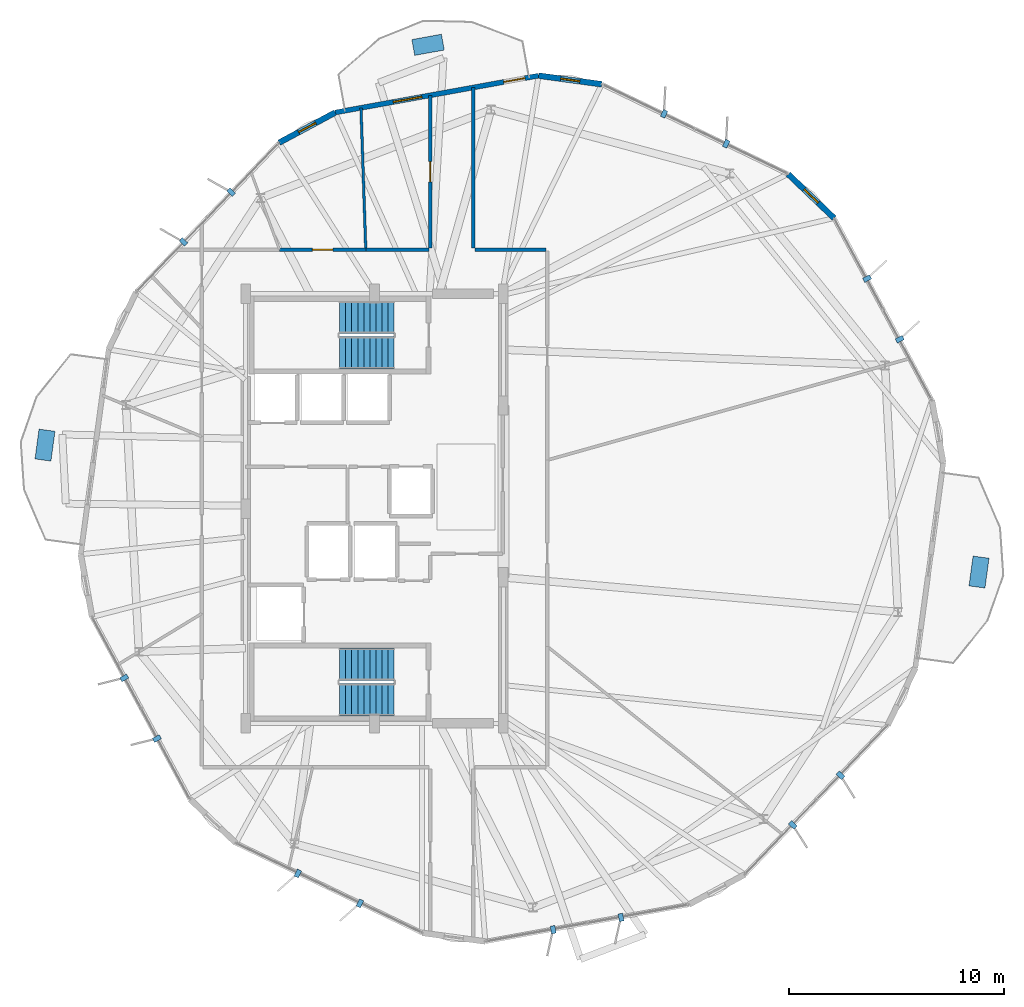
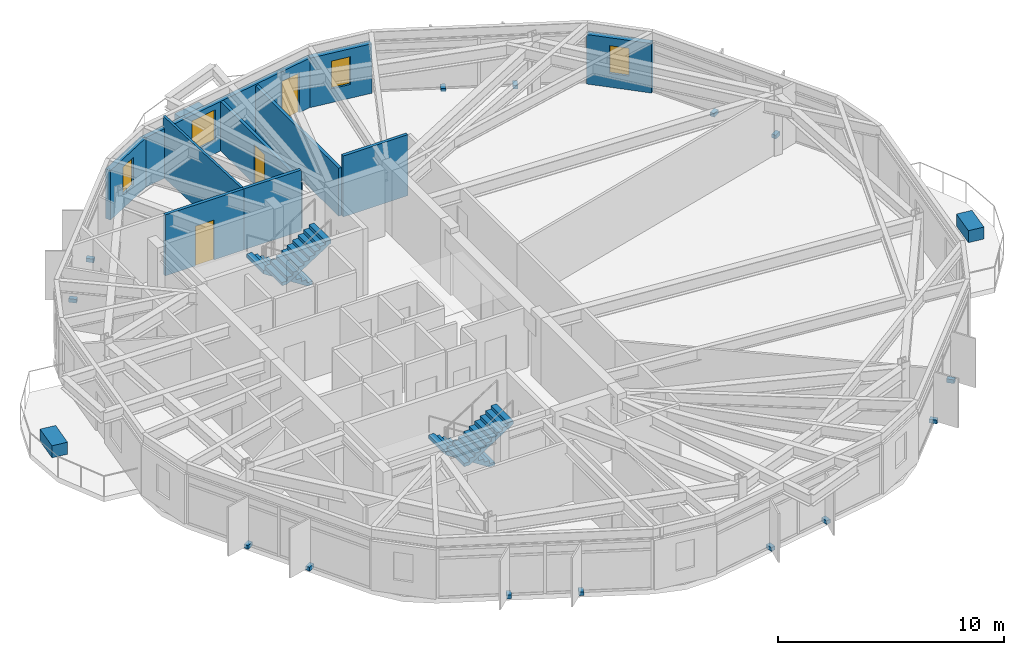
# One storey, part 24 of 27: 17 discrete accessories, 10 walls, 4 stair flights, 4 windows, 3 doors, 7 openings, 2 elements without a shape of their own.
"""IFC4 building model written with IfcOpenShell, lengths in metres."""

from ifc_helpers import new_model, si_unit, direction, frame, frame_2d, origin, origin_2d, place, context, subcontext, project, spatial, polyline, rectangle, outline, extrude, material, layer, layer_set, type_object, element, fill, aggregate, save


model = new_model("IFC4")

# Units and contexts
model_context = context("Model", 3, precision=1e-05, world=origin(), true_north=direction((0.0, 1.0)))
body_context = subcontext(model_context, "Body", "Model", "MODEL_VIEW")
ifc_project = project(units=[si_unit("LENGTHUNIT", "METRE"), si_unit("AREAUNIT", "SQUARE_METRE"), si_unit("VOLUMEUNIT", "CUBIC_METRE"), si_unit("PLANEANGLEUNIT", "RADIAN"), si_unit("MASSUNIT", "GRAM", prefix="KILO")], contexts=[model_context])

# Site, building, storey
site_placement = place(None, origin())
site = spatial("IfcSite", under=ifc_project, at=site_placement, CompositionType="ELEMENT")
building_placement = place(site_placement, origin())
building = spatial("IfcBuilding", under=site, at=building_placement, Name="Soratama Intermodal Tower", CompositionType="ELEMENT")
storey_placement = place(building_placement, frame((0.0, 0.0, 208.60009765625)))
storey = spatial("IfcBuildingStorey", under=building, at=storey_placement, Name="L52", CompositionType="ELEMENT", Elevation=208.60009765625)

# Wall, openings, door, window
ifc_material_1 = material(Name="Concrete f'c 42 MPa", Category="concrete")
ifc_layer_1 = layer(ifc_material_1, 0.22998046875)
ifc_layer_set_1 = layer_set([ifc_layer_1], Name="Concrete f'c 42 MPa")
wall_type_1 = type_object("IfcWallType", Name="EW-BAL-230", PredefinedType="SOLIDWALL", material=ifc_layer_set_1)
wall_1_placement = place(storey_placement, frame((46.2421875, 45.153564453125, 0.0), z_axis=(0.0, 0.0, 1.0), x_axis=(-0.984006003463, -0.178135300119, 0.0)))
wall_1 = element("IfcWall", 1, at=wall_1_placement, inside=storey, type_object=wall_type_1, Name="L52 Terrace Wall F02", PredefinedType="SOLIDWALL", context=body_context, shape_type="SweptSolid", body=[
    extrude(rectangle(XDim=9.623779296875, YDim=0.22998046875, at=frame_2d((4.81201171875, 0.0))), origin(), (0.0, 0.0, 1.0), 2.678955078125),
])
opening_1_placement = place(wall_1_placement, frame((0.64990234375, 0.0, 0.0)))
opening_1 = element("IfcOpeningElement", 2, at=opening_1_placement, cuts=wall_1, Name="Opening ED-2", PredefinedType="OPENING", context=body_context, shape_type="SweptSolid", body=[
    extrude(rectangle(XDim=1.0, YDim=2.14990234375, at=frame_2d((0.5, 1.074951171875))), frame((0.0, 0.125, 0.0), z_axis=(0.0, -1.0, 0.0), x_axis=(1.0, 0.0, 0.0)), (0.0, 0.0, 1.0), 0.25),
])
opening_2_placement = place(wall_1_placement, frame((5.524169921875, 0.0, 0.719970703125)))
opening_2 = element("IfcOpeningElement", 3, at=opening_2_placement, cuts=wall_1, Name="Opening WN-4", PredefinedType="OPENING", context=body_context, shape_type="SweptSolid", body=[
    extrude(rectangle(XDim=1.35009765625, YDim=1.64990234375, at=frame_2d((0.675048828125, 0.824951171875))), frame((0.0, 0.125, 0.0), z_axis=(0.0, -1.0, 0.0), x_axis=(1.0, 0.0, 0.0)), (0.0, 0.0, 1.0), 0.25),
])
ifc_material_2 = material(Name="Double-glazed aluminium door", Category="aluminium")
door_type_1 = type_object("IfcDoorType", Name="DR-BAL-1000", OperationType="NOTDEFINED", PredefinedType="DOOR", material=ifc_material_2)
door_1_placement = place(opening_1_placement, origin())
door_1 = element("IfcDoor", 4, at=door_1_placement, inside=storey, type_object=door_type_1, Name="L52 Balcony Door F02", OperationType="SINGLE_SWING_RIGHT", OverallHeight=2.14990234375, OverallWidth=1.0, PredefinedType="DOOR", context=body_context, shape_type="SweptSolid", body=[
    extrude(rectangle(XDim=1.0, YDim=2.14990234375, at=frame_2d((0.5, 1.074951171875))), frame((0.0, 0.02490234375, 0.0), z_axis=(0.0, -1.0, 0.0), x_axis=(1.0, 0.0, 0.0)), (0.0, 0.0, 1.0), 0.050048828125),
])
fill(opening_1, door_1)
ifc_material_3 = material(Name="Double-glazed aluminium window", Category="aluminium")
window_type_1 = type_object("IfcWindowType", Name="WN-FAC-1350", PartitioningType="SINGLE_PANEL", PredefinedType="WINDOW", material=ifc_material_3)
window_1_placement = place(opening_2_placement, origin())
window_1 = element("IfcWindow", 5, at=window_1_placement, inside=storey, type_object=window_type_1, Name="L52 Window B F02", OverallHeight=1.64990234375, OverallWidth=1.35009765625, PartitioningType="SINGLE_PANEL", PredefinedType="WINDOW", context=body_context, shape_type="SweptSolid", body=[
    extrude(rectangle(XDim=1.35009765625, YDim=1.64990234375, at=frame_2d((0.675048828125, 0.824951171875))), frame((0.0, 0.030029296875, 0.0), z_axis=(0.0, -1.0, 0.0), x_axis=(1.0, 0.0, 0.0)), (0.0, 0.0, 1.0), 0.06005859375),
])
fill(opening_2, window_1)

# Wall, opening, window
ifc_material_4 = material(Name="Concrete f'c 42 MPa", Category="concrete")
ifc_layer_2 = layer(ifc_material_4, 0.27001953125)
ifc_layer_set_2 = layer_set([ifc_layer_2], Name="Concrete f'c 42 MPa")
wall_type_2 = type_object("IfcWallType", Name="EW-CRN-270", PredefinedType="SOLIDWALL", material=ifc_layer_set_2)
wall_2_placement = place(storey_placement, frame((49.181884765625, 44.75390625, 0.0), z_axis=(0.0, 0.0, 1.0), x_axis=(-0.990884670692, 0.134712914702, 0.0)))
wall_2 = element("IfcWall", 6, at=wall_2_placement, inside=storey, type_object=wall_type_2, Name="L52 Corner Closure Wall 01", PredefinedType="SOLIDWALL", context=body_context, shape_type="SweptSolid", body=[
    extrude(rectangle(XDim=2.966796875, YDim=0.27001953125, at=frame_2d((1.4833984375, 0.0))), origin(), (0.0, 0.0, 1.0), 2.678955078125),
])
opening_3_placement = place(wall_2_placement, frame((1.033203125, 0.0, 0.75)))
opening_3 = element("IfcOpeningElement", 7, at=opening_3_placement, cuts=wall_2, Name="Opening WN-6", PredefinedType="OPENING", context=body_context, shape_type="SweptSolid", body=[
    extrude(rectangle(XDim=0.89990234375, YDim=1.5, at=frame_2d((0.449951171875, 0.75))), frame((0.0, 0.14501953125, 0.0), z_axis=(0.0, -1.0, 0.0), x_axis=(1.0, 0.0, 0.0)), (0.0, 0.0, 1.0), 0.2900390625),
])
ifc_material_5 = material(Name="Double-glazed aluminium window", Category="aluminium")
window_type_2 = type_object("IfcWindowType", Name="WN-FAC-900", PartitioningType="SINGLE_PANEL", PredefinedType="WINDOW", material=ifc_material_5)
window_2_placement = place(opening_3_placement, origin())
window_2 = element("IfcWindow", 8, at=window_2_placement, inside=storey, type_object=window_type_2, Name="L52 Corner Window 01", OverallHeight=1.5, OverallWidth=0.89990234375, PartitioningType="SINGLE_PANEL", PredefinedType="WINDOW", context=body_context, shape_type="SweptSolid", body=[
    extrude(rectangle(XDim=0.89990234375, YDim=1.5, at=frame_2d((0.449951171875, 0.75))), frame((0.0, 0.030029296875, 0.0), z_axis=(0.0, -1.0, 0.0), x_axis=(1.0, 0.0, 0.0)), (0.0, 0.0, 1.0), 0.06005859375),
])
fill(opening_3, window_2)

wall_3_placement = place(storey_placement, frame((36.772216796875, 43.439208984375, 0.0), z_axis=(0.0, 0.0, 1.0), x_axis=(-0.880819678066, -0.473451892732, 0.0)))
wall_3 = element("IfcWall", 9, at=wall_3_placement, inside=storey, type_object=wall_type_2, Name="L52 Corner Closure Wall 02", PredefinedType="SOLIDWALL", context=body_context, shape_type="SweptSolid", body=[
    extrude(rectangle(XDim=2.966552734375, YDim=0.27001953125, at=frame_2d((1.4833984375, 0.0))), origin(), (0.0, 0.0, 1.0), 2.678955078125),
])
opening_4_placement = place(wall_3_placement, frame((1.033203125, 0.0, 0.75)))
opening_4 = element("IfcOpeningElement", 10, at=opening_4_placement, cuts=wall_3, Name="Opening WN-6", PredefinedType="OPENING", context=body_context, shape_type="SweptSolid", body=[
    extrude(rectangle(XDim=0.89990234375, YDim=1.5, at=frame_2d((0.449951171875, 0.75))), frame((0.0, 0.14501953125, 0.0), z_axis=(0.0, -1.0, 0.0), x_axis=(1.0, 0.0, 0.0)), (0.0, 0.0, 1.0), 0.2900390625),
])
window_3_placement = place(opening_4_placement, origin())
window_3 = element("IfcWindow", 11, at=window_3_placement, inside=storey, type_object=window_type_2, Name="L52 Corner Window 02", OverallHeight=1.5, OverallWidth=0.89990234375, PartitioningType="SINGLE_PANEL", PredefinedType="WINDOW", context=body_context, shape_type="SweptSolid", body=[
    extrude(rectangle(XDim=0.89990234375, YDim=1.5, at=frame_2d((0.449951171875, 0.75))), frame((0.0, 0.030029296875, 0.0), z_axis=(0.0, -1.0, 0.0), x_axis=(1.0, 0.0, 0.0)), (0.0, 0.0, 1.0), 0.06005859375),
])
fill(opening_4, window_3)

wall_4_placement = place(storey_placement, frame((59.994140625, 38.523193359375, 0.0), z_axis=(0.0, 0.0, 1.0), x_axis=(-0.722489918311, 0.691381456172, 0.0)))
wall_4 = element("IfcWall", 12, at=wall_4_placement, inside=storey, type_object=wall_type_2, Name="L52 Corner Closure Wall 10", PredefinedType="SOLIDWALL", context=body_context, shape_type="SweptSolid", body=[
    extrude(rectangle(XDim=2.966552734375, YDim=0.27001953125, at=frame_2d((1.4833984375, 0.0))), origin(), (0.0, 0.0, 1.0), 2.678955078125),
])
opening_5_placement = place(wall_4_placement, frame((1.033203125, 0.0, 0.75)))
opening_5 = element("IfcOpeningElement", 13, at=opening_5_placement, cuts=wall_4, Name="Opening WN-6", PredefinedType="OPENING", context=body_context, shape_type="SweptSolid", body=[
    extrude(rectangle(XDim=0.89990234375, YDim=1.5, at=frame_2d((0.449951171875, 0.75))), frame((0.0, 0.14501953125, 0.0), z_axis=(0.0, -1.0, 0.0), x_axis=(1.0, 0.0, 0.0)), (0.0, 0.0, 1.0), 0.2900390625),
])
window_4_placement = place(opening_5_placement, origin())
window_4 = element("IfcWindow", 14, at=window_4_placement, inside=storey, type_object=window_type_2, Name="L52 Corner Window 10", OverallHeight=1.5, OverallWidth=0.89990234375, PartitioningType="SINGLE_PANEL", PredefinedType="WINDOW", context=body_context, shape_type="SweptSolid", body=[
    extrude(rectangle(XDim=0.89990234375, YDim=1.5, at=frame_2d((0.449951171875, 0.75))), frame((0.0, 0.030029296875, 0.0), z_axis=(0.0, -1.0, 0.0), x_axis=(1.0, 0.0, 0.0)), (0.0, 0.0, 1.0), 0.06005859375),
])
fill(opening_5, window_4)

# Wall
ifc_material_6 = material(Name="Fire-rated gypsum stud partition", Category="concrete")
ifc_layer_3 = layer(ifc_material_6, 0.159912109375)
ifc_layer_set_3 = layer_set([ifc_layer_3], Name="Fire-rated gypsum stud partition")
wall_type_3 = type_object("IfcWallType", Name="IW-PART-R160", PredefinedType="PARTITIONING", material=ifc_layer_set_3)
wall_5_placement = place(storey_placement, frame((43.199951171875, 44.60302734375, 0.0), z_axis=(0.0, 0.0, 1.0), x_axis=(0.0, -1.0, 0.0)))
element("IfcWall", 15, at=wall_5_placement, inside=storey, type_object=wall_type_3, Name="L52 Partition W-L52-TP008", PredefinedType="PARTITIONING", context=body_context, shape_type="SweptSolid", body=[
    extrude(rectangle(XDim=7.48291015625, YDim=0.159912109375, at=frame_2d((3.741455078125, 0.0))), origin(), (0.0, 0.0, 1.0), 2.594970703125),
])

# Wall, opening, door
wall_6_placement = place(storey_placement, frame((41.199951171875, 37.1201171875, 0.0), z_axis=(0.0, 0.0, 1.0), x_axis=(0.0, 1.0, 0.0)))
wall_6 = element("IfcWall", 16, at=wall_6_placement, inside=storey, type_object=wall_type_3, Name="L52 Partition W-L52-TP009", PredefinedType="PARTITIONING", context=body_context, shape_type="SweptSolid", body=[
    extrude(rectangle(XDim=7.120849609375, YDim=0.159912109375, at=frame_2d((3.560546875, 0.0))), origin(), (0.0, 0.0, 1.0), 2.673828125),
])
opening_6_placement = place(wall_6_placement, frame((3.0859375, 0.0, 0.0)))
opening_6 = element("IfcOpeningElement", 17, at=opening_6_placement, cuts=wall_6, Name="Opening ID-3", PredefinedType="OPENING", context=body_context, shape_type="SweptSolid", body=[
    extrude(rectangle(XDim=0.949951171875, YDim=2.14990234375, at=frame_2d((0.47509765625, 1.074951171875))), frame((0.0, 0.08984375, 0.0), z_axis=(0.0, -1.0, 0.0), x_axis=(1.0, 0.0, 0.0)), (0.0, 0.0, 1.0), 0.179931640625),
])
ifc_material_7 = material(Name="Solid hardwood acoustic door", Category="wood")
door_type_2 = type_object("IfcDoorType", Name="DR-ROOM-950", OperationType="NOTDEFINED", PredefinedType="DOOR", material=ifc_material_7)
door_2_placement = place(opening_6_placement, origin())
door_2 = element("IfcDoor", 18, at=door_2_placement, inside=storey, type_object=door_type_2, Name="L52 Door D-L52-TP006", OperationType="SINGLE_SWING_LEFT", OverallHeight=2.14990234375, OverallWidth=0.949951171875, PredefinedType="DOOR", context=body_context, shape_type="SweptSolid", body=[
    extrude(rectangle(XDim=0.949951171875, YDim=2.14990234375, at=frame_2d((0.47509765625, 1.074951171875))), frame((0.0, 0.02490234375, 0.0), z_axis=(0.0, -1.0, 0.0), x_axis=(1.0, 0.0, 0.0)), (0.0, 0.0, 1.0), 0.050048828125),
])
fill(opening_6, door_2)

wall_7_placement = place(storey_placement, frame((34.177001953125, 37.050048828125, 0.0), z_axis=(0.0, 0.0, 1.0), x_axis=(1.0, 0.0, 0.0)))
wall_7 = element("IfcWall", 19, at=wall_7_placement, inside=storey, type_object=wall_type_3, Name="L52 Partition W-L52-TP023", PredefinedType="PARTITIONING", context=body_context, shape_type="SweptSolid", body=[
    extrude(rectangle(XDim=4.01611328125, YDim=0.159912109375, at=frame_2d((2.008056640625, 0.0))), origin(), (0.0, 0.0, 1.0), 3.2998046875),
])
opening_7_placement = place(wall_7_placement, frame((1.532958984375, 0.0, 0.0)))
opening_7 = element("IfcOpeningElement", 20, at=opening_7_placement, cuts=wall_7, Name="Opening ID-3", PredefinedType="OPENING", context=body_context, shape_type="SweptSolid", body=[
    extrude(rectangle(XDim=0.949951171875, YDim=2.14990234375, at=frame_2d((0.47509765625, 1.074951171875))), frame((0.0, 0.08984375, 0.0), z_axis=(0.0, -1.0, 0.0), x_axis=(1.0, 0.0, 0.0)), (0.0, 0.0, 1.0), 0.179931640625),
])
door_3_placement = place(opening_7_placement, origin())
door_3 = element("IfcDoor", 21, at=door_3_placement, inside=storey, type_object=door_type_2, Name="L52 Door D-L52-TP012", OperationType="SINGLE_SWING_LEFT", OverallHeight=2.14990234375, OverallWidth=0.949951171875, PredefinedType="DOOR", context=body_context, shape_type="SweptSolid", body=[
    extrude(rectangle(XDim=0.949951171875, YDim=2.14990234375, at=frame_2d((0.47509765625, 1.074951171875))), frame((0.0, 0.02490234375, 0.0), z_axis=(0.0, -1.0, 0.0), x_axis=(1.0, 0.0, 0.0)), (0.0, 0.0, 1.0), 0.050048828125),
])
fill(opening_7, door_3)

# Walls
wall_8_placement = place(storey_placement, frame((43.27001953125, 37.050048828125, 0.0), z_axis=(0.0, 0.0, 1.0), x_axis=(1.0, 0.0, 0.0)))
element("IfcWall", 22, at=wall_8_placement, inside=storey, type_object=wall_type_3, Name="L52 Partition W-L52-TP027", PredefinedType="PARTITIONING", context=body_context, shape_type="SweptSolid", body=[
    extrude(rectangle(XDim=3.31005859375, YDim=0.159912109375, at=frame_2d((1.655029296875, 0.0))), origin(), (0.0, 0.0, 1.0), 3.2998046875),
])
wall_9_placement = place(storey_placement, frame((38.193115234375, 37.050048828125, 0.0), z_axis=(0.0, 0.0, 1.0), x_axis=(1.0, 0.0, 0.0)))
element("IfcWall", 23, at=wall_9_placement, inside=storey, type_object=wall_type_3, Name="L52 Partition W-L52-TP029", PredefinedType="PARTITIONING", context=body_context, shape_type="SweptSolid", body=[
    extrude(rectangle(XDim=2.936767578125, YDim=0.159912109375, at=frame_2d((1.46826171875, 0.0))), origin(), (0.0, 0.0, 1.0), 3.2998046875),
])
ifc_material_8 = material(Name="Fire-rated gypsum stud partition", Category="concrete")
ifc_layer_4 = layer(ifc_material_8, 0.1201171875)
ifc_layer_set_4 = layer_set([ifc_layer_4], Name="Fire-rated gypsum stud partition")
wall_type_4 = type_object("IfcWallType", Name="IW-PART-S120", PredefinedType="PARTITIONING", material=ifc_layer_set_4)
wall_10_placement = place(storey_placement, frame((38.193115234375, 37.050048828125, 0.0), z_axis=(0.0, 0.0, 1.0), x_axis=(-0.033760033646, 0.999429967596, 0.0)))
element("IfcWall", 24, at=wall_10_placement, inside=storey, type_object=wall_type_4, Name="L52 Partition W-L52-TP012", PredefinedType="PARTITIONING", context=body_context, shape_type="SweptSolid", body=[
    extrude(rectangle(XDim=6.609619140625, YDim=0.1201171875, at=frame_2d((3.3046875, 0.0))), origin(), (0.0, 0.0, 1.0), 3.2998046875),
])

# Stair, stair flights
ifc_material_9 = material(Name="Concrete f'c 42 MPa", Category="concrete")
stair_type = type_object("IfcStairType", Name="ST-CORE-DOGLEG", PredefinedType="HALF_TURN_STAIR", material=ifc_material_9)
stair_1_placement = place(storey_placement, origin())
stair_1 = element("IfcStair", 25, at=stair_1_placement, inside=storey, type_object=stair_type, Name="L52 ST-1", PredefinedType="HALF_TURN_STAIR")
ifc_material_10 = material(Name="Precast concrete f'c 40 MPa", Category="concrete")
ifc_layer_5 = layer(ifc_material_10, 0.199951171875)
ifc_layer_set_5 = layer_set([ifc_layer_5], Name="Precast concrete f'c 40 MPa")
stair_flight_type = type_object("IfcStairFlightType", Name="SF-FLIGHT-RC", PredefinedType="STRAIGHT", material=ifc_layer_set_5)
stair_flight_1_placement = place(storey_placement, frame((39.5, 17.75, 0.0), z_axis=(0.0, 0.0, 1.0), x_axis=(-1.0, 0.0, 0.0)))
stair_flight_1 = element("IfcStairFlight", 26, at=stair_flight_1_placement, type_object=stair_flight_type, Name="ST-1 flight 1", NumberOfRisers=10, NumberOfTreads=9, PredefinedType="STRAIGHT", RiserHeight=0.18, TreadLength=0.28, context=body_context, shape_type="SweptSolid", body=[
    extrude(outline(polyline([(0.0, 0.0), (0.0, 0.179931640625), (0.280029296875, 0.179931640625), (0.280029296875, 0.360107421875), (0.56005859375, 0.360107421875), (0.56005859375, 0.5400390625), (0.840087890625, 0.5400390625), (0.840087890625, 0.719970703125), (1.1201171875, 0.719970703125), (1.1201171875, 0.89990234375), (1.39990234375, 0.89990234375), (1.39990234375, 1.080078125), (1.679931640625, 1.080078125), (1.679931640625, 1.260009765625), (1.9599609375, 1.260009765625), (1.9599609375, 1.43994140625), (2.239990234375, 1.43994140625), (2.239990234375, 1.6201171875), (2.52001953125, 1.6201171875), (2.52001953125, 1.800048828125), (2.52001953125, 1.44189453125), (0.277099609375, 0.0), (0.0, 0.0)])), frame((0.0, 0.75, 0.0), z_axis=(0.0, -1.0, 0.0), x_axis=(1.0, 0.0, 0.0)), (0.0, 0.0, 1.0), 1.5),
])
stair_flight_2_placement = place(storey_placement, frame((36.97998046875, 16.10009765625, 1.7998046875), z_axis=(0.0, 0.0, 1.0), x_axis=(1.0, 0.0, 0.0)))
stair_flight_2 = element("IfcStairFlight", 27, at=stair_flight_2_placement, type_object=stair_flight_type, Name="ST-1 flight 2", NumberOfRisers=10, NumberOfTreads=9, PredefinedType="STRAIGHT", RiserHeight=0.18, TreadLength=0.28, context=body_context, shape_type="SweptSolid", body=[
    extrude(outline(polyline([(0.0, 0.0), (0.0, 0.179931640625), (0.280029296875, 0.179931640625), (0.280029296875, 0.360107421875), (0.56005859375, 0.360107421875), (0.56005859375, 0.5400390625), (0.840087890625, 0.5400390625), (0.840087890625, 0.719970703125), (1.1201171875, 0.719970703125), (1.1201171875, 0.89990234375), (1.39990234375, 0.89990234375), (1.39990234375, 1.080078125), (1.679931640625, 1.080078125), (1.679931640625, 1.260009765625), (1.9599609375, 1.260009765625), (1.9599609375, 1.43994140625), (2.239990234375, 1.43994140625), (2.239990234375, 1.6201171875), (2.52001953125, 1.6201171875), (2.52001953125, 1.800048828125), (2.52001953125, 1.44189453125), (0.277099609375, 0.0), (0.0, 0.0)])), frame((0.0, 0.75, 0.0), z_axis=(0.0, -1.0, 0.0), x_axis=(1.0, 0.0, 0.0)), (0.0, 0.0, 1.0), 1.5),
])
aggregate(stair_1, [stair_flight_1, stair_flight_2])

stair_2_placement = place(storey_placement, origin())
stair_2 = element("IfcStair", 28, at=stair_2_placement, inside=storey, type_object=stair_type, Name="L52 ST-2", PredefinedType="HALF_TURN_STAIR")
stair_flight_3_placement = place(storey_placement, frame((39.5, 33.89990234375, 0.0), z_axis=(0.0, 0.0, 1.0), x_axis=(-1.0, 0.0, 0.0)))
stair_flight_3 = element("IfcStairFlight", 29, at=stair_flight_3_placement, type_object=stair_flight_type, Name="ST-2 flight 1", NumberOfRisers=10, NumberOfTreads=9, PredefinedType="STRAIGHT", RiserHeight=0.18, TreadLength=0.28, context=body_context, shape_type="SweptSolid", body=[
    extrude(outline(polyline([(0.0, 0.0), (0.0, 0.179931640625), (0.280029296875, 0.179931640625), (0.280029296875, 0.360107421875), (0.56005859375, 0.360107421875), (0.56005859375, 0.5400390625), (0.840087890625, 0.5400390625), (0.840087890625, 0.719970703125), (1.1201171875, 0.719970703125), (1.1201171875, 0.89990234375), (1.39990234375, 0.89990234375), (1.39990234375, 1.080078125), (1.679931640625, 1.080078125), (1.679931640625, 1.260009765625), (1.9599609375, 1.260009765625), (1.9599609375, 1.43994140625), (2.239990234375, 1.43994140625), (2.239990234375, 1.6201171875), (2.52001953125, 1.6201171875), (2.52001953125, 1.800048828125), (2.52001953125, 1.44189453125), (0.277099609375, 0.0), (0.0, 0.0)])), frame((0.0, 0.75, 0.0), z_axis=(0.0, -1.0, 0.0), x_axis=(1.0, 0.0, 0.0)), (0.0, 0.0, 1.0), 1.5),
])
stair_flight_4_placement = place(storey_placement, frame((36.97998046875, 32.25, 1.7998046875), z_axis=(0.0, 0.0, 1.0), x_axis=(1.0, 0.0, 0.0)))
stair_flight_4 = element("IfcStairFlight", 30, at=stair_flight_4_placement, type_object=stair_flight_type, Name="ST-2 flight 2", NumberOfRisers=10, NumberOfTreads=9, PredefinedType="STRAIGHT", RiserHeight=0.18, TreadLength=0.28, context=body_context, shape_type="SweptSolid", body=[
    extrude(outline(polyline([(0.0, 0.0), (0.0, 0.179931640625), (0.280029296875, 0.179931640625), (0.280029296875, 0.360107421875), (0.56005859375, 0.360107421875), (0.56005859375, 0.5400390625), (0.840087890625, 0.5400390625), (0.840087890625, 0.719970703125), (1.1201171875, 0.719970703125), (1.1201171875, 0.89990234375), (1.39990234375, 0.89990234375), (1.39990234375, 1.080078125), (1.679931640625, 1.080078125), (1.679931640625, 1.260009765625), (1.9599609375, 1.260009765625), (1.9599609375, 1.43994140625), (2.239990234375, 1.43994140625), (2.239990234375, 1.6201171875), (2.52001953125, 1.6201171875), (2.52001953125, 1.800048828125), (2.52001953125, 1.44189453125), (0.277099609375, 0.0), (0.0, 0.0)])), frame((0.0, 0.75, 0.0), z_axis=(0.0, -1.0, 0.0), x_axis=(1.0, 0.0, 0.0)), (0.0, 0.0, 1.0), 1.5),
])
aggregate(stair_2, [stair_flight_3, stair_flight_4])

# Discrete accessories
ifc_material_11 = material(Name="Structural steel ASTM A992 Grade 50", Category="steel")
discrete_accessory_type_1 = type_object("IfcDiscreteAccessoryType", Name="AC-FIN-BRACKET", PredefinedType="BRACKET", material=ifc_material_11)
for number, where, z_axis, x_axis, name in (
    (31, (54.969970703125, 41.985595703125, -0.080078125), (0.0, 0.0, 1.0), (0.43428804929, 0.900774050605, 0.0), "L52 Fin Bracket F01-1"),
    (32, (52.080078125, 43.378662109375, -0.080078125), (0.0, 0.0, 1.0), (0.43428804929, 0.900774050605, 0.0), "L52 Fin Bracket F01-2"),
    (33, (31.9267578125, 39.730712890625, -0.080078125), (0.0, 0.0, 1.0), (-0.722484642853, 0.691386968955, 0.0), "L52 Fin Bracket F03-1"),
    (34, (29.708740234375, 37.4130859375, -0.080078125), (0.0, 0.0, 1.0), (-0.722484642853, 0.691386968955, 0.0), "L52 Fin Bracket F03-2"),
    (35, (26.9501953125, 17.11865234375, -0.080078125), (0.0, 0.0, 1.0), (-0.880808114923, -0.473473404412, 0.0), "L52 Fin Bracket F05-1"),
    (36, (28.46923828125, 14.29296875, -0.080078125), (0.0, 0.0, 1.0), (-0.880808114923, -0.473473404412, 0.0), "L52 Fin Bracket F05-2"),
    (37, (35.030029296875, 8.014404296875, -0.080078125), (0.0, 0.0, 1.0), (-0.43428804929, -0.900774050605, 0.0), "L52 Fin Bracket F06-1"),
    (38, (37.919921875, 6.621337890625, -0.080078125), (0.0, 0.0, 1.0), (-0.43428804929, -0.900774050605, 0.0), "L52 Fin Bracket F06-2"),
    (39, (46.91796875, 5.398193359375, -0.080078125), (0.0, 0.0, 1.0), (0.178115290264, -0.984009625651, 0.0), "L52 Fin Bracket F07-1"),
    (40, (50.07470703125, 5.969482421875, -0.080078125), (0.0, 0.0, 1.0), (0.178115290264, -0.984009625651, 0.0), "L52 Fin Bracket F07-2"),
    (41, (58.0732421875, 10.269287109375, -0.080078125), (0.0, 0.0, 1.0), (0.722484642853, -0.691386968955, 0.0), "L52 Fin Bracket F08-1"),
    (42, (60.291259765625, 12.5869140625, -0.080078125), (0.0, 0.0, 1.0), (0.722484642853, -0.691386968955, 0.0), "L52 Fin Bracket F08-2"),
    (43, (63.0498046875, 32.88134765625, -0.080078125), (0.0, 0.0, 1.0), (0.880808114923, 0.473473404412, 0.0), "L52 Fin Bracket F10-1"),
    (44, (61.53076171875, 35.70703125, -0.080078125), (0.0, 0.0, 1.0), (0.880808114923, 0.473473404412, 0.0), "L52 Fin Bracket F10-2"),
):
    element("IfcDiscreteAccessory", number, at=place(storey_placement, frame(where, z_axis=z_axis, x_axis=x_axis)), inside=storey, type_object=discrete_accessory_type_1, Name=name, PredefinedType="BRACKET", context=body_context, shape_type="SweptSolid", body=[
        extrude(rectangle(XDim=0.360107421875, YDim=0.219970703125, at=origin_2d()), origin(), (0.0, 0.0, 1.0), 0.199951171875),
    ])
ifc_material_12 = material(Name="Precast concrete f'c 40 MPa", Category="concrete")
discrete_accessory_type_2 = type_object("IfcDiscreteAccessoryType", Name="AC-PLANTER-TREE", PredefinedType="USERDEFINED", material=ifc_material_12)
for number, where, z_axis, x_axis, name in (
    (45, (66.739990234375, 22.045166015625, 0.0), (0.0, 0.0, 1.0), (0.990889418222, -0.134677989497, 0.0), "L52 Tree Planter 1"),
    (46, (41.09228515625, 46.589111328125, 0.0), (0.0, 0.0, 1.0), (-0.178115290264, 0.984009625651, 0.0), "L52 Tree Planter 2"),
    (47, (23.260009765625, 27.954833984375, 0.0), (0.0, 0.0, 1.0), (-0.990889418222, 0.134677989497, 0.0), "L52 Tree Planter 3"),
):
    element("IfcDiscreteAccessory", number, at=place(storey_placement, frame(where, z_axis=z_axis, x_axis=x_axis)), inside=storey, type_object=discrete_accessory_type_2, Name=name, ObjectType="PLANTER", PredefinedType="USERDEFINED", context=body_context, shape_type="SweptSolid", body=[
        extrude(rectangle(XDim=0.75, YDim=1.39990234375, at=origin_2d()), origin(), (0.0, 0.0, 1.0), 0.64990234375),
    ])

save(model, "model.ifc")
